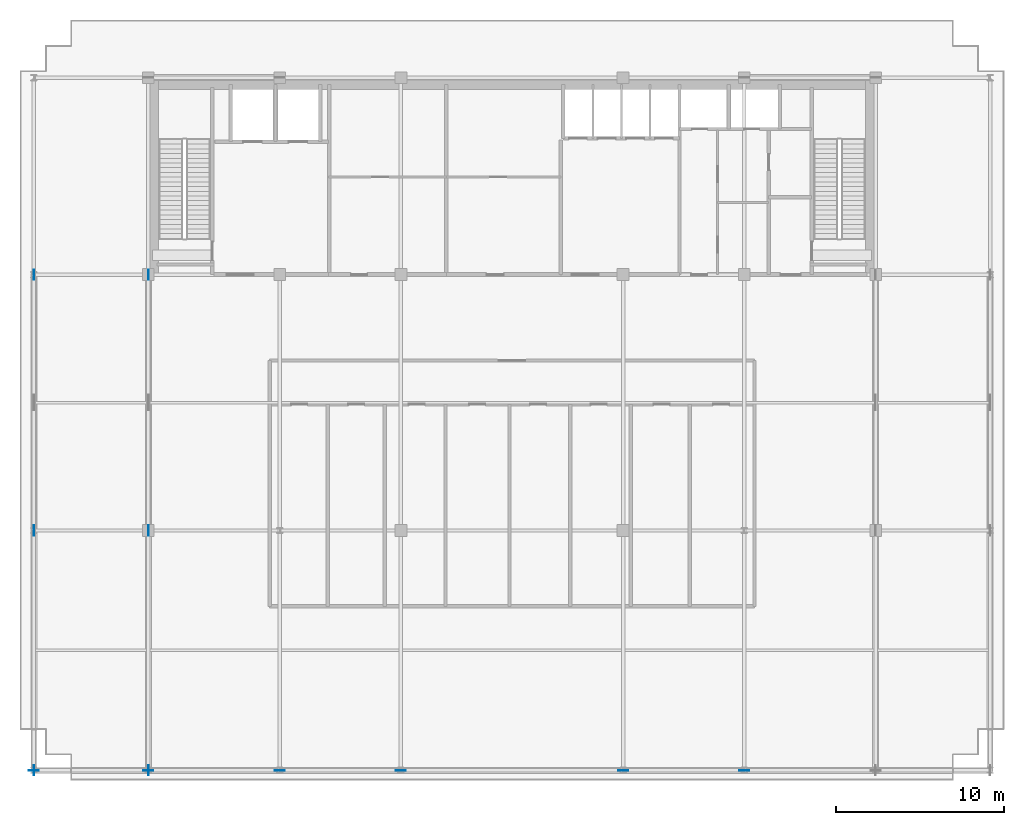
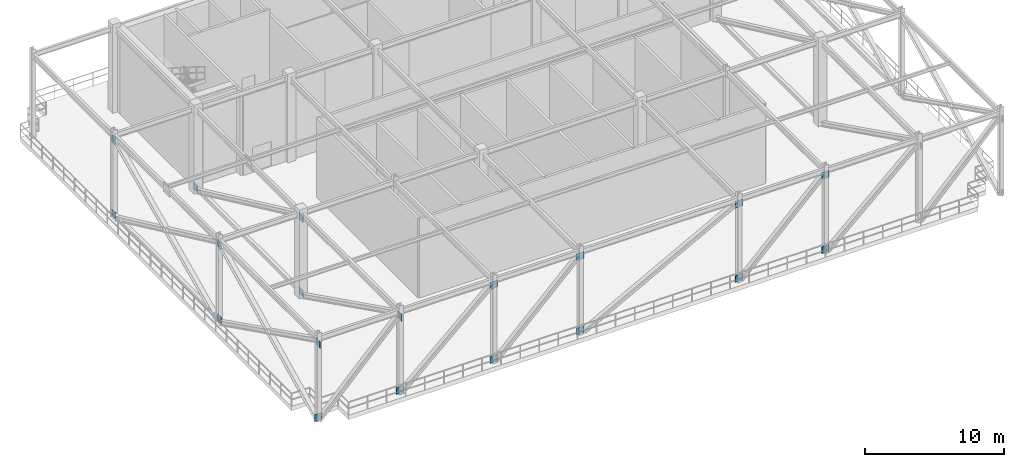
# One storey, part 7 of 15: 19 plates.
"""IFC4 building model written with IfcOpenShell, lengths in metres."""

from ifc_helpers import new_model, si_unit, direction, frame, origin, origin_2d, place, context, subcontext, project, spatial, rectangle, extrude, source, transform, mapped, material, layer, layer_set, type_object, element, save


model = new_model("IFC4")

# Units and contexts
model_context = context("Model", 3, precision=1e-05, world=origin(), true_north=direction((0.0, 1.0)))
body_context = subcontext(model_context, "Body", "Model", "MODEL_VIEW")
ifc_project = project(units=[si_unit("LENGTHUNIT", "METRE"), si_unit("AREAUNIT", "SQUARE_METRE"), si_unit("VOLUMEUNIT", "CUBIC_METRE"), si_unit("PLANEANGLEUNIT", "RADIAN"), si_unit("MASSUNIT", "GRAM", prefix="KILO")], contexts=[model_context])

# Site, building, storey
site_placement = place(None, origin())
site = spatial("IfcSite", under=ifc_project, at=site_placement, CompositionType="ELEMENT")
building_placement = place(site_placement, origin())
building = spatial("IfcBuilding", under=site, at=building_placement, Name="Trelvane Seafront Commons", CompositionType="ELEMENT")
storey_placement = place(building_placement, frame((0.0, 0.0, 240.89990234375)))
storey = spatial("IfcBuildingStorey", under=building, at=storey_placement, Name="L63", CompositionType="ELEMENT", Elevation=240.89990234375)

# Plates
ifc_material = material(Name="Steel SM355 (S355)", Category="steel")
ifc_layer = layer(ifc_material, 0.031982421875, Name="STR-PLT-GUS2")
ifc_layer_set = layer_set([ifc_layer], Name="Steel SM355 (S355)")
plate_type = type_object("IfcPlateType", Name="STR-PLT-GUS2", PredefinedType="SHEET", material=ifc_layer_set)
shared_shape_1 = source(origin(), body_context, "Body", "SweptSolid", [
    extrude(rectangle(XDim=0.031982421875, YDim=0.60009765625, at=origin_2d()), origin(), (0.0, 0.0, 1.0), 0.60009765625),
])
for number, where, z_axis, x_axis, name in (
    (1, (8.800048828125, 33.39990234375, -0.02001953125), (0.0, 0.0, 1.0), (1.0, 0.0, 0.0), "L63 Brace Connection Gusset Plate GP-069"),
    (2, (8.800048828125, 18.199951171875, 6.510009765625), (0.0, 0.0, 1.0), (1.0, 0.0, 0.0), "L63 Brace Connection Gusset Plate GP-070"),
    (3, (8.800048828125, 18.199951171875, -0.02001953125), (0.0, 0.0, 1.0), (1.0, 0.0, 0.0), "L63 Brace Connection Gusset Plate GP-071"),
    (4, (8.800048828125, 3.949951171875, 6.510009765625), (0.0, 0.0, 1.0), (1.0, 0.0, 0.0), "L63 Brace Connection Gusset Plate GP-072"),
    (5, (15.60009765625, 33.39990234375, -0.02001953125), (0.0, 0.0, 1.0), (1.0, 0.0, 0.0), "L63 Brace Connection Gusset Plate GP-073"),
    (6, (15.60009765625, 18.199951171875, 6.510009765625), (0.0, 0.0, 1.0), (1.0, 0.0, 0.0), "L63 Brace Connection Gusset Plate GP-074"),
    (7, (15.60009765625, 18.199951171875, -0.02001953125), (0.0, 0.0, 1.0), (1.0, 0.0, 0.0), "L63 Brace Connection Gusset Plate GP-075"),
    (8, (15.60009765625, 3.949951171875, 6.510009765625), (0.0, 0.0, 1.0), (1.0, 0.0, 0.0), "L63 Brace Connection Gusset Plate GP-076"),
    (9, (8.800048828125, 33.39990234375, 6.510009765625), (0.0, 0.0, 1.0), (1.0, 0.0, 0.0), "L63 Brace Connection Gusset Plate GP-100"),
):
    element("IfcPlate", number, at=place(storey_placement, frame(where, z_axis=z_axis, x_axis=x_axis)), inside=storey, type_object=plate_type, Name=name, PredefinedType="SHEET", context=body_context, shape_type="MappedRepresentation", body=[
        mapped(shared_shape_1, transform((0.0, 0.0, 0.0), x_axis=(1.0, 0.0, 0.0), y_axis=(0.0, 1.0, 0.0), z_axis=(0.0, 0.0, 1.0), scale=1.0)),
    ])
shared_shape_2 = source(origin(), body_context, "Body", "SweptSolid", [
    extrude(rectangle(XDim=0.60009765625, YDim=0.031982421875, at=origin_2d()), origin(), (0.0, 0.0, 1.0), 0.60009765625),
])
for number, where, z_axis, x_axis, name in (
    (10, (8.800048828125, 3.949951171875, -0.02001953125), (0.0, 0.0, 1.0), (1.0, 0.0, 0.0), "L63 Brace Connection Gusset Plate GP-085"),
    (11, (15.60009765625, 3.949951171875, -0.02001953125), (0.0, 0.0, 1.0), (1.0, 0.0, 0.0), "L63 Brace Connection Gusset Plate GP-088"),
    (12, (23.39990234375, 3.949951171875, 6.510009765625), (0.0, 0.0, 1.0), (1.0, 0.0, 0.0), "L63 Brace Connection Gusset Plate GP-089"),
    (13, (23.39990234375, 3.949951171875, -0.02001953125), (0.0, 0.0, 1.0), (1.0, 0.0, 0.0), "L63 Brace Connection Gusset Plate GP-092"),
    (14, (30.60009765625, 3.949951171875, 6.510009765625), (0.0, 0.0, 1.0), (1.0, 0.0, 0.0), "L63 Brace Connection Gusset Plate GP-093"),
    (15, (30.60009765625, 3.949951171875, -0.02001953125), (0.0, 0.0, 1.0), (1.0, 0.0, 0.0), "L63 Brace Connection Gusset Plate GP-094"),
    (16, (43.800048828125, 3.949951171875, 6.510009765625), (0.0, 0.0, 1.0), (1.0, 0.0, 0.0), "L63 Brace Connection Gusset Plate GP-095"),
    (17, (43.800048828125, 3.949951171875, -0.02001953125), (0.0, 0.0, 1.0), (1.0, 0.0, 0.0), "L63 Brace Connection Gusset Plate GP-096"),
    (18, (51.0, 3.949951171875, 6.510009765625), (0.0, 0.0, 1.0), (1.0, 0.0, 0.0), "L63 Brace Connection Gusset Plate GP-097"),
    (19, (51.0, 3.949951171875, -0.02001953125), (0.0, 0.0, 1.0), (1.0, 0.0, 0.0), "L63 Brace Connection Gusset Plate GP-098"),
):
    element("IfcPlate", number, at=place(storey_placement, frame(where, z_axis=z_axis, x_axis=x_axis)), inside=storey, type_object=plate_type, Name=name, PredefinedType="SHEET", context=body_context, shape_type="MappedRepresentation", body=[
        mapped(shared_shape_2, transform((0.0, 0.0, 0.0), x_axis=(1.0, 0.0, 0.0), y_axis=(0.0, 1.0, 0.0), z_axis=(0.0, 0.0, 1.0), scale=1.0)),
    ])

save(model, "model.ifc")
